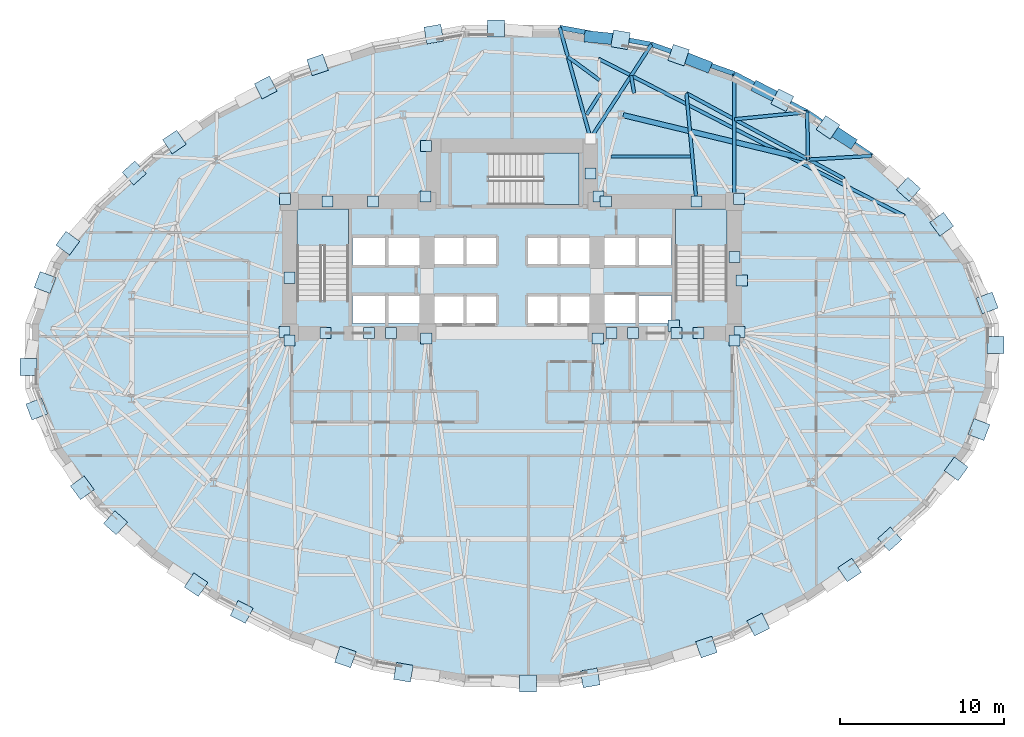
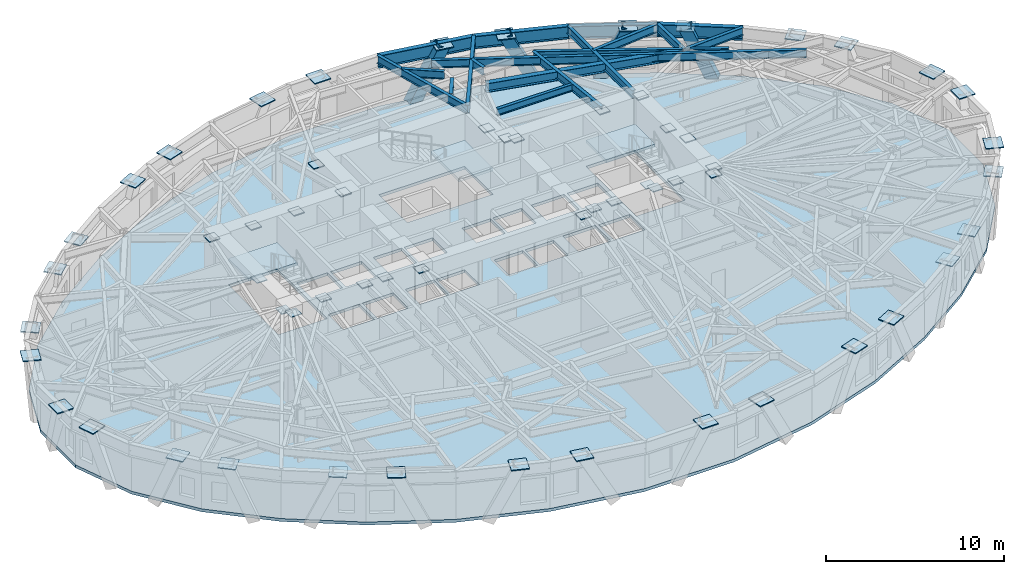
# One storey, part 5 of 14: 59 plates, 18 beams, 4 members, 4 slabs, 3 elements without a shape of their own.
"""IFC4 building model written with IfcOpenShell, lengths in metres."""

from ifc_helpers import new_model, si_unit, direction, frame, origin, origin_2d, place, context, subcontext, project, spatial, polyline, rectangle, hollow_rectangle, i_section, outline, extrude, material, layer, layer_set, material_profile, profile_set, type_object, element, aggregate, save


model = new_model("IFC4")

# Units and contexts
model_context = context("Model", 3, precision=1e-05, world=origin(), true_north=direction((0.0, 1.0)))
body_context = subcontext(model_context, "Body", "Model", "MODEL_VIEW")
ifc_project = project(units=[si_unit("LENGTHUNIT", "METRE"), si_unit("AREAUNIT", "SQUARE_METRE"), si_unit("VOLUMEUNIT", "CUBIC_METRE"), si_unit("PLANEANGLEUNIT", "RADIAN"), si_unit("MASSUNIT", "GRAM", prefix="KILO")], contexts=[model_context])

# Site, building, storey
site_placement = place(None, origin())
site = spatial("IfcSite", under=ifc_project, at=site_placement, CompositionType="ELEMENT")
building_placement = place(site_placement, origin())
building = spatial("IfcBuilding", under=site, at=building_placement, Name="Keldmark Tower", CompositionType="ELEMENT")
storey_placement = place(building_placement, frame((0.0, 0.0, 63.0)))
storey = spatial("IfcBuildingStorey", under=building, at=storey_placement, Name="L16", CompositionType="ELEMENT", Elevation=63.0)

# Beam
ifc_material_1 = material(Name="Steel ASTM A992 Grade 50", Category="steel")
ifc_material_profile_1 = material_profile(ifc_material_1, i_section(OverallWidth=0.19091796875, OverallDepth=0.45703125, WebThickness=0.009033203125, FlangeThickness=0.014404296875, at=origin_2d()), Name="W18X50")
ifc_profile_set_1 = profile_set([ifc_material_profile_1], Name="Steel ASTM A992 Grade 50")
beam_type_1 = type_object("IfcBeamType", Name="Composite Floor Joist W18X50", PredefinedType="JOIST", material=ifc_profile_set_1)
beam_1_placement = place(storey_placement, frame((6.060546875, 12.199951171875, 3.17138671875), z_axis=(1.0, 0.0, 0.0), x_axis=(0.0, 1.0, 0.0)))
element("IfcBeam", 1, at=beam_1_placement, inside=storey, type_object=beam_type_1, Name="L16 Composite Floor Joist J15", PredefinedType="JOIST", context=body_context, shape_type="SweptSolid", body=[
    extrude(i_section(OverallWidth=0.19091796875, OverallDepth=0.45703125, WebThickness=0.009033203125, FlangeThickness=0.014404296875, at=origin_2d()), origin(), (0.0, 0.0, 1.0), 4.866455078125),
])

# Members
ifc_material_2 = material(Name="Steel ASTM A572 Grade 50", Category="steel")
ifc_material_profile_2 = material_profile(ifc_material_2, hollow_rectangle(XDim=0.699951171875, YDim=0.699951171875, WallThickness=0.054931640625, at=origin_2d()), Name="BOX700X700X55")
ifc_profile_set_2 = profile_set([ifc_material_profile_2], Name="Steel ASTM A572 Grade 50")
member_type = type_object("IfcMemberType", Name="Diagrid Zone 1 Brace BOX700X700X55", PredefinedType="BRACE", material=ifc_profile_set_2)
member_1_placement = place(storey_placement, frame((20.65380859375, 13.1044921875, -0.280029296875), z_axis=(-0.342659938482, 0.224937046145, 0.91213348356), x_axis=(-0.54876977085, -0.835973527452, 0.0)))
element("IfcMember", 2, at=member_1_placement, inside=storey, type_object=member_type, Name="L16 Perimeter Diagrid Brace 02B", PredefinedType="BRACE", context=body_context, shape_type="SweptSolid", body=[
    extrude(hollow_rectangle(XDim=0.699951171875, YDim=0.699951171875, WallThickness=0.054931640625, at=origin_2d()), origin(), (0.0, 0.0, 1.0), 3.903076171875),
])
member_2_placement = place(storey_placement, frame((15.033203125, 16.4072265625, -0.280029296875), z_axis=(0.379728256214, -0.193555327461, 0.904623008023), x_axis=(0.454128549703, 0.890936170747, 0.0)))
element("IfcMember", 3, at=member_2_placement, inside=storey, type_object=member_type, Name="L16 Perimeter Diagrid Brace 03A", PredefinedType="BRACE", context=body_context, shape_type="SweptSolid", body=[
    extrude(hollow_rectangle(XDim=0.699951171875, YDim=0.699951171875, WallThickness=0.054931640625, at=origin_2d()), origin(), (0.0, 0.0, 1.0), 3.935302734375),
])
member_3_placement = place(storey_placement, frame((11.844970703125, 17.73828125, -0.280029296875), z_axis=(-0.416210288064, 0.166079491879, 0.893972370091), x_axis=(-0.370612156998, -0.928787720141, 0.0)))
element("IfcMember", 4, at=member_3_placement, inside=storey, type_object=member_type, Name="L16 Perimeter Diagrid Brace 03B", PredefinedType="BRACE", context=body_context, shape_type="SweptSolid", body=[
    extrude(hollow_rectangle(XDim=0.699951171875, YDim=0.699951171875, WallThickness=0.054931640625, at=origin_2d()), origin(), (0.0, 0.0, 1.0), 3.982177734375),
])
member_4_placement = place(storey_placement, frame((4.735107421875, 19.52734375, -0.280029296875), z_axis=(0.470779677868, -0.046582537428, 0.88102018258), x_axis=(0.098466786507, 0.995140337819, 0.0)))
element("IfcMember", 5, at=member_4_placement, inside=storey, type_object=member_type, Name="L16 Perimeter Diagrid Brace 04A", PredefinedType="BRACE", context=body_context, shape_type="SweptSolid", body=[
    extrude(hollow_rectangle(XDim=0.699951171875, YDim=0.699951171875, WallThickness=0.054931640625, at=origin_2d()), origin(), (0.0, 0.0, 1.0), 4.040771484375),
])

# Beams
ifc_material_3 = material(Name="Steel ASTM A992 Grade 50", Category="steel")
ifc_material_profile_3 = material_profile(ifc_material_3, i_section(OverallWidth=0.323974609375, OverallDepth=0.611083984375, WebThickness=0.0126953125, FlangeThickness=0.01904296875, at=origin_2d()), Name="W24X104")
ifc_profile_set_3 = profile_set([ifc_material_profile_3], Name="Steel ASTM A992 Grade 50")
beam_type_2 = type_object("IfcBeamType", Name="Primary Floor Girder W24X104", PredefinedType="BEAM", material=ifc_profile_set_3)
beam_2_placement = place(storey_placement, frame((17.961669921875, 12.040283203125, 3.094482421875), z_axis=(-0.972218707757, 0.2340743136, 0.0), x_axis=(-0.2340743136, -0.972218707757, 0.0)))
element("IfcBeam", 6, at=beam_2_placement, inside=storey, type_object=beam_type_2, Name="L16 Floor Ring Girder FG-R02", PredefinedType="BEAM", context=body_context, shape_type="SweptSolid", body=[
    extrude(i_section(OverallWidth=0.323974609375, OverallDepth=0.611083984375, WebThickness=0.0126953125, FlangeThickness=0.01904296875, at=origin_2d()), origin(), (0.0, 0.0, 1.0), 11.479248046875),
])
ifc_material_4 = material(Name="Steel ASTM A992 Grade 50", Category="steel")
ifc_material_profile_4 = material_profile(ifc_material_4, i_section(OverallWidth=0.2099609375, OverallDepth=0.537109375, WebThickness=0.010986328125, FlangeThickness=0.017333984375, at=origin_2d()), Name="W21X68")
ifc_profile_set_4 = profile_set([ifc_material_profile_4], Name="Steel ASTM A992 Grade 50")
beam_type_3 = type_object("IfcBeamType", Name="Radial Tie Girder W21X68", PredefinedType="BEAM", material=ifc_profile_set_4)
beam_3_placement = place(storey_placement, frame((11.278564453125, 9.449951171875, 3.131591796875), z_axis=(-0.092348000862, 0.99572679322, 0.0), x_axis=(-0.99572679322, -0.092348000862, 0.0)))
element("IfcBeam", 7, at=beam_3_placement, inside=storey, type_object=beam_type_3, Name="L16 Sub-Ring Step Girder STP1-M02", PredefinedType="BEAM", context=body_context, shape_type="SweptSolid", body=[
    extrude(i_section(OverallWidth=0.2099609375, OverallDepth=0.537109375, WebThickness=0.010986328125, FlangeThickness=0.017333984375, at=origin_2d()), origin(), (0.0, 0.0, 1.0), 6.6435546875),
])
beam_4_placement = place(storey_placement, frame((20.308837890625, 10.841796875, 3.131591796875), z_axis=(-0.879304784575, 0.476259483709, 0.0), x_axis=(-0.476259483709, -0.879304784575, 0.0)))
element("IfcBeam", 8, at=beam_4_placement, inside=storey, type_object=beam_type_3, Name="L16 Perimeter Collector Ring Beam CRG1-M01", PredefinedType="BEAM", context=body_context, shape_type="SweptSolid", body=[
    extrude(i_section(OverallWidth=0.2099609375, OverallDepth=0.537109375, WebThickness=0.010986328125, FlangeThickness=0.017333984375, at=origin_2d()), origin(), (0.0, 0.0, 1.0), 10.967529296875),
])
beam_5_placement = place(storey_placement, frame((4.567626953125, 14.760009765625, 3.131591796875), z_axis=(0.536875492193, 0.843661487732, 0.0), x_axis=(-0.843661487732, 0.536875492193, 0.0)))
element("IfcBeam", 9, at=beam_5_placement, inside=storey, type_object=beam_type_3, Name="L16 Framing Pin Header PH-008", PredefinedType="BEAM", context=body_context, shape_type="SweptSolid", body=[
    extrude(i_section(OverallWidth=0.2099609375, OverallDepth=0.537109375, WebThickness=0.010986328125, FlangeThickness=0.017333984375, at=origin_2d()), origin(), (0.0, 0.0, 1.0), 1.547119140625),
])
beam_6_placement = place(storey_placement, frame((23.998291015625, 8.5595703125, 3.131591796875), z_axis=(-0.889432487484, 0.457066570872, 0.0), x_axis=(-0.457066570872, -0.889432487484, 0.0)))
element("IfcBeam", 10, at=beam_6_placement, inside=storey, type_object=beam_type_3, Name="L16 Perimeter Collector Ring Beam CRG2-M01", PredefinedType="BEAM", context=body_context, shape_type="SweptSolid", body=[
    extrude(i_section(OverallWidth=0.2099609375, OverallDepth=0.537109375, WebThickness=0.010986328125, FlangeThickness=0.017333984375, at=origin_2d()), origin(), (0.0, 0.0, 1.0), 21.033203125),
])
beam_7_placement = place(storey_placement, frame((18.09765625, 12.00732421875, 3.131591796875), z_axis=(0.998253376983, 0.059077875235, 0.0), x_axis=(-0.059077875235, 0.998253376983, 0.0)))
element("IfcBeam", 11, at=beam_7_placement, inside=storey, type_object=beam_type_3, Name="L16 Perimeter Column Bracket RT-04", PredefinedType="BEAM", context=body_context, shape_type="SweptSolid", body=[
    extrude(i_section(OverallWidth=0.2099609375, OverallDepth=0.537109375, WebThickness=0.010986328125, FlangeThickness=0.017333984375, at=origin_2d()), origin(), (0.0, 0.0, 1.0), 3.901123046875),
])
beam_8_placement = place(storey_placement, frame((18.09765625, 12.00732421875, 3.131591796875), z_axis=(-0.01697805012, 0.999855862519, 0.0), x_axis=(-0.999855862519, -0.01697805012, 0.0)))
element("IfcBeam", 12, at=beam_8_placement, inside=storey, type_object=beam_type_3, Name="L16 Perimeter Column Bracket RT-05", PredefinedType="BEAM", context=body_context, shape_type="SweptSolid", body=[
    extrude(i_section(OverallWidth=0.2099609375, OverallDepth=0.537109375, WebThickness=0.010986328125, FlangeThickness=0.017333984375, at=origin_2d()), origin(), (0.0, 0.0, 1.0), 2.90478515625),
])
beam_9_placement = place(storey_placement, frame((18.04833984375, 14.91162109375, 3.131591796875), z_axis=(-0.995224676216, -0.097610674885, 0.0), x_axis=(0.097610674885, -0.995224676216, 0.0)))
element("IfcBeam", 13, at=beam_9_placement, inside=storey, type_object=beam_type_3, Name="L16 Framing Pin Header PH-018", PredefinedType="BEAM", context=body_context, shape_type="SweptSolid", body=[
    extrude(i_section(OverallWidth=0.2099609375, OverallDepth=0.537109375, WebThickness=0.010986328125, FlangeThickness=0.017333984375, at=origin_2d()), origin(), (0.0, 0.0, 1.0), 4.469482421875),
])
beam_10_placement = place(storey_placement, frame((13.60009765625, 9.89990234375, 3.131591796875), z_axis=(0.0, 1.0, 0.0), x_axis=(-1.0, 0.0, 0.0)))
element("IfcBeam", 14, at=beam_10_placement, inside=storey, type_object=beam_type_3, Name="L16 Perimeter Radial Tie Girder RT-06", PredefinedType="BEAM", context=body_context, shape_type="SweptSolid", body=[
    extrude(i_section(OverallWidth=0.2099609375, OverallDepth=0.537109375, WebThickness=0.010986328125, FlangeThickness=0.017333984375, at=origin_2d()), origin(), (0.0, 0.0, 1.0), 7.352783203125),
])
beam_11_placement = place(storey_placement, frame((7.465576171875, 16.065185546875, 3.131591796875), z_axis=(-0.160746315774, 0.986995755799, 0.0), x_axis=(-0.986995755799, -0.160746315774, 0.0)))
element("IfcBeam", 15, at=beam_11_placement, inside=storey, type_object=beam_type_3, Name="L16 Framing Pin Header PH-019", PredefinedType="BEAM", context=body_context, shape_type="SweptSolid", body=[
    extrude(i_section(OverallWidth=0.2099609375, OverallDepth=0.537109375, WebThickness=0.010986328125, FlangeThickness=0.017333984375, at=origin_2d()), origin(), (0.0, 0.0, 1.0), 1.094970703125),
])
beam_12_placement = place(storey_placement, frame((4.800048828125, 13.300048828125, 3.131591796875), z_axis=(0.543401950803, 0.839472643904, 0.0), x_axis=(-0.839472643904, 0.543401950803, 0.0)))
element("IfcBeam", 16, at=beam_12_placement, inside=storey, type_object=beam_type_3, Name="L16 Perimeter Radial Tie Girder RT-07", PredefinedType="BEAM", context=body_context, shape_type="SweptSolid", body=[
    extrude(i_section(OverallWidth=0.2099609375, OverallDepth=0.537109375, WebThickness=0.010986328125, FlangeThickness=0.017333984375, at=origin_2d()), origin(), (0.0, 0.0, 1.0), 6.8525390625),
])
beam_13_placement = place(storey_placement, frame((5.357421875, 16.86474609375, 3.131591796875), z_axis=(-0.805187992972, 0.593019642149, 0.0), x_axis=(-0.593019642149, -0.805187992972, 0.0)))
element("IfcBeam", 17, at=beam_13_placement, inside=storey, type_object=beam_type_3, Name="L16 Framing Pin Header PH-020", PredefinedType="BEAM", context=body_context, shape_type="SweptSolid", body=[
    extrude(i_section(OverallWidth=0.2099609375, OverallDepth=0.537109375, WebThickness=0.010986328125, FlangeThickness=0.017333984375, at=origin_2d()), origin(), (0.0, 0.0, 1.0), 2.4140625),
])
beam_14_placement = place(storey_placement, frame((4.800048828125, 13.300048828125, 3.131591796875), z_axis=(-0.267380957699, 0.963590900466, 0.0), x_axis=(-0.963590900466, -0.267380957699, 0.0)))
element("IfcBeam", 18, at=beam_14_placement, inside=storey, type_object=beam_type_3, Name="L16 Perimeter Radial Tie Girder RT-08", PredefinedType="BEAM", context=body_context, shape_type="SweptSolid", body=[
    extrude(i_section(OverallWidth=0.2099609375, OverallDepth=0.537109375, WebThickness=0.010986328125, FlangeThickness=0.017333984375, at=origin_2d()), origin(), (0.0, 0.0, 1.0), 7.040771484375),
])
ifc_material_5 = material(Name="Steel ASTM A992 Grade 50", Category="steel")
ifc_material_profile_5 = material_profile(ifc_material_5, i_section(OverallWidth=0.2919921875, OverallDepth=0.85888671875, WebThickness=0.01708984375, FlangeThickness=0.031005859375, at=origin_2d()), Name="W33X169")
ifc_profile_set_5 = profile_set([ifc_material_profile_5], Name="Steel ASTM A992 Grade 50")
beam_type_4 = type_object("IfcBeamType", Name="Spandrel Ring Beam W33X169", PredefinedType="SPANDREL", material=ifc_profile_set_5)
beam_15_placement = place(storey_placement, frame((21.991943359375, 12.23779296875, 2.970458984375), z_axis=(-0.827689135004, 0.561186863528, 0.0), x_axis=(-0.561186863528, -0.827689135004, 0.0)))
element("IfcBeam", 19, at=beam_15_placement, inside=storey, type_object=beam_type_4, Name="L16 Perimeter Spandrel Ring Beam SRB-04", PredefinedType="SPANDREL", context=body_context, shape_type="SweptSolid", body=[
    extrude(i_section(OverallWidth=0.2919921875, OverallDepth=0.85888671875, WebThickness=0.01708984375, FlangeThickness=0.031005859375, at=origin_2d()), origin(), (0.0, 0.0, 1.0), 4.7646484375),
])
beam_16_placement = place(storey_placement, frame((18.04833984375, 14.91162109375, 2.970458984375), z_axis=(-0.884927704222, 0.465728416892, 0.0), x_axis=(-0.465728416892, -0.884927704222, 0.0)))
element("IfcBeam", 20, at=beam_16_placement, inside=storey, type_object=beam_type_4, Name="L16 Perimeter Spandrel Ring Beam SRB-05", PredefinedType="SPANDREL", context=body_context, shape_type="SweptSolid", body=[
    extrude(i_section(OverallWidth=0.2919921875, OverallDepth=0.85888671875, WebThickness=0.01708984375, FlangeThickness=0.031005859375, at=origin_2d()), origin(), (0.0, 0.0, 1.0), 5.026611328125),
])
beam_17_placement = place(storey_placement, frame((13.60009765625, 17.252685546875, 2.970458984375), z_axis=(-0.942515730584, 0.334161783575, 0.0), x_axis=(-0.334161783575, -0.942515730584, 0.0)))
element("IfcBeam", 21, at=beam_17_placement, inside=storey, type_object=beam_type_4, Name="L16 Perimeter Spandrel Ring Beam SRB-06", PredefinedType="SPANDREL", context=body_context, shape_type="SweptSolid", body=[
    extrude(i_section(OverallWidth=0.2919921875, OverallDepth=0.85888671875, WebThickness=0.01708984375, FlangeThickness=0.031005859375, at=origin_2d()), origin(), (0.0, 0.0, 1.0), 5.385986328125),
])
beam_18_placement = place(storey_placement, frame((8.523681640625, 19.052490234375, 2.970458984375), z_axis=(-0.98347627312, 0.181037068609, 0.0), x_axis=(-0.181037068609, -0.98347627312, 0.0)))
element("IfcBeam", 22, at=beam_18_placement, inside=storey, type_object=beam_type_4, Name="L16 Perimeter Spandrel Ring Beam SRB-07", PredefinedType="SPANDREL", context=body_context, shape_type="SweptSolid", body=[
    extrude(i_section(OverallWidth=0.2919921875, OverallDepth=0.85888671875, WebThickness=0.01708984375, FlangeThickness=0.031005859375, at=origin_2d()), origin(), (0.0, 0.0, 1.0), 5.700439453125),
])

# Plates
ifc_material_6 = material(Name="Steel ASTM A572 Grade 50", Category="steel")
ifc_layer_1 = layer(ifc_material_6, 0.06005859375)
ifc_layer_set_1 = layer_set([ifc_layer_1], Name="Steel ASTM A572 Grade 50")
plate_type_1 = type_object("IfcPlateType", Name="Belt Truss Kink Node Assembly KN01 60 mm", PredefinedType="USERDEFINED", material=ifc_layer_set_1)
for number, where, z_axis, x_axis, name in (
    (23, (13.91162109375, 1.473388671875, 3.09814453125), (0.0, 0.0, 1.0), (1.0, 0.0, 0.0), "L16 Core Wall Cast-In Embed Plate 406"),
    (24, (13.878173828125, 9.608154296875, 3.09814453125), (0.0, 0.0, 1.0), (1.0, 0.0, 0.0), "L16 Core Wall Cast-In Embed Plate 407"),
    (25, (5.28515625, 9.758544921875, 3.09814453125), (0.0, 0.0, 1.0), (1.0, 0.0, 0.0), "L16 Core Wall Cast-In Embed Plate 408"),
    (26, (-5.28515625, 9.758544921875, 3.09814453125), (0.0, 0.0, 1.0), (1.0, 0.0, 0.0), "L16 Core Wall Cast-In Embed Plate 409"),
    (27, (-13.878173828125, 9.608154296875, 3.09814453125), (0.0, 0.0, 1.0), (1.0, 0.0, 0.0), "L16 Core Wall Cast-In Embed Plate 410"),
    (28, (-13.91162109375, 1.473388671875, 3.09814453125), (0.0, 0.0, 1.0), (1.0, 0.0, 0.0), "L16 Core Wall Cast-In Embed Plate 411"),
    (29, (-5.24072265625, 1.08251953125, 3.09814453125), (0.0, 0.0, 1.0), (1.0, 0.0, 0.0), "L16 Core Wall Cast-In Embed Plate 412"),
    (30, (5.24072265625, 1.08251953125, 3.09814453125), (0.0, 0.0, 1.0), (1.0, 0.0, 0.0), "L16 Core Wall Cast-In Embed Plate 413"),
    (31, (11.278564453125, 9.449951171875, 3.10400390625), (0.0, 0.0, 1.0), (1.0, 0.0, 0.0), "L16 Core Wall Cast-In Embed Plate 414"),
    (32, (-11.278564453125, 9.449951171875, 3.10400390625), (0.0, 0.0, 1.0), (1.0, 0.0, 0.0), "L16 Core Wall Cast-In Embed Plate 415"),
    (33, (5.735595703125, 9.449951171875, 3.10400390625), (0.0, 0.0, 1.0), (1.0, 0.0, 0.0), "L16 Core Wall Cast-In Embed Plate 416"),
    (34, (-8.507080078125, 9.449951171875, 3.10400390625), (0.0, 0.0, 1.0), (1.0, 0.0, 0.0), "L16 Core Wall Cast-In Embed Plate 417"),
    (35, (-11.392822265625, 1.39990234375, 3.10400390625), (0.0, 0.0, 1.0), (1.0, 0.0, 0.0), "L16 Core Wall Cast-In Embed Plate 418"),
    (36, (13.60009765625, 0.949951171875, 3.10400390625), (0.0, 0.0, 1.0), (1.0, 0.0, 0.0), "L16 Core Wall Cast-In Embed Plate 419"),
    (37, (4.800048828125, 11.14990234375, 3.10400390625), (0.0, 0.0, 1.0), (1.0, 0.0, 0.0), "L16 Core Wall Cast-In Embed Plate 420"),
    (38, (-5.25, 12.85009765625, 3.10400390625), (0.0, 0.0, 1.0), (1.0, 0.0, 0.0), "L16 Core Wall Cast-In Embed Plate 422"),
    (39, (-13.60009765625, 4.78564453125, 3.10400390625), (0.0, 0.0, 1.0), (1.0, 0.0, 0.0), "L16 Core Wall Cast-In Embed Plate 423"),
    (40, (-13.60009765625, 0.949951171875, 3.10400390625), (0.0, 0.0, 1.0), (1.0, 0.0, 0.0), "L16 Core Wall Cast-In Embed Plate 424"),
    (41, (-7.406982421875, 1.39990234375, 3.10400390625), (0.0, 0.0, 1.0), (1.0, 0.0, 0.0), "L16 Core Wall Cast-In Embed Plate 425"),
    (42, (7.406982421875, 1.39990234375, 3.10400390625), (0.0, 0.0, 1.0), (1.0, 0.0, 0.0), "L16 Core Wall Cast-In Embed Plate 426"),
    (43, (11.392822265625, 1.39990234375, 3.10400390625), (0.0, 0.0, 1.0), (1.0, 0.0, 0.0), "L16 Core Wall Cast-In Embed Plate 427"),
    (44, (10.064208984375, 1.39990234375, 3.10400390625), (0.0, 0.0, 1.0), (1.0, 0.0, 0.0), "L16 Core Wall Cast-In Embed Plate 428"),
    (45, (13.60009765625, 6.064208984375, 3.10400390625), (0.0, 0.0, 1.0), (1.0, 0.0, 0.0), "L16 Core Wall Cast-In Embed Plate 429"),
    (46, (-8.735595703125, 1.39990234375, 3.10400390625), (0.0, 0.0, 1.0), (1.0, 0.0, 0.0), "L16 Core Wall Cast-In Embed Plate 430"),
    (47, (9.889892578125, 1.85009765625, 3.10400390625), (0.0, 0.0, 1.0), (1.0, 0.0, 0.0), "L16 Core Wall Cast-In Embed Plate 431"),
    (48, (6.07861328125, 1.39990234375, 3.10400390625), (0.0, 0.0, 1.0), (1.0, 0.0, 0.0), "L16 Core Wall Cast-In Embed Plate 432"),
    (49, (14.044921875, 4.6201171875, 3.14404296875), (0.0, 0.0, 1.0), (1.0, 0.0, 0.0), "L16 Core Wall Cast-In Embed Plate 433"),
):
    element("IfcPlate", number, at=place(storey_placement, frame(where, z_axis=z_axis, x_axis=x_axis)), inside=storey, type_object=plate_type_1, Name=name, ObjectType="CAP PLATE", PredefinedType="USERDEFINED", context=body_context, shape_type="SweptSolid", body=[
        extrude(rectangle(XDim=0.679931640625, YDim=0.679931640625, at=origin_2d()), origin(), (0.0, 0.0, 1.0), 0.054931640625),
    ])
ifc_material_7 = material(Name="Steel ASTM A572 Grade 50", Category="steel")
ifc_layer_2 = layer(ifc_material_7, 0.06494140625)
ifc_layer_set_2 = layer_set([ifc_layer_2], Name="Steel ASTM A572 Grade 50")
plate_type_2 = type_object("IfcPlateType", Name="Diagrid Node Assembly DN02 65 mm", PredefinedType="USERDEFINED", material=ifc_layer_set_2)
for number, where, z_axis, x_axis, name in (
    (50, (29.0537109375, 3.239501953125, 3.24755859375), (0.0, 0.0, 1.0), (-0.35282169456, 0.935690574842, 0.0), "L16 Diagrid Node Assembly 01"),
    (51, (26.271728515625, 8.056884765625, 3.24755859375), (0.0, 0.0, 1.0), (-0.592294464767, 0.805721581569, 0.0), "L16 Diagrid Node Assembly 02"),
    (52, (24.240478515625, 10.19873046875, 3.24755859375), (0.0, 0.0, 1.0), (-0.742326773808, 0.670038029434, 0.0), "L16 Diagrid Node Assembly 03"),
    (53, (19.31640625, 13.982421875, 3.24755859375), (0.0, 0.0, 1.0), (-0.827668733006, 0.561216953062, 0.0), "L16 Diagrid Node Assembly 04"),
    (54, (16.527587890625, 15.6455078125, 3.24755859375), (0.0, 0.0, 1.0), (-0.891085746907, 0.453834982851, 0.0), "L16 Diagrid Node Assembly 05"),
    (55, (10.1875, 18.399658203125, 3.24755859375), (0.0, 0.0, 1.0), (-0.947378020466, 0.320116988518, 0.0), "L16 Diagrid Node Assembly 06"),
    (56, (6.637451171875, 19.339111328125, 3.24755859375), (0.0, 0.0, 1.0), (-0.985318641925, 0.17072543418, 0.0), "L16 Diagrid Node Assembly 07"),
    (57, (-0.978515625, 20.02490234375, 3.24755859375), (0.0, 0.0, 1.0), (-1.0, 0.0, 0.0), "L16 Diagrid Node Assembly 08"),
    (58, (-4.7802734375, 19.680908203125, 3.24755859375), (0.0, 0.0, 1.0), (-0.985318641925, -0.17072543418, 0.0), "L16 Diagrid Node Assembly 09"),
    (59, (-11.890625, 17.795166015625, 3.24755859375), (0.0, 0.0, 1.0), (-0.947378020466, -0.320116988518, 0.0), "L16 Diagrid Node Assembly 10"),
    (60, (-15.0546875, 16.41943359375, 3.24755859375), (0.0, 0.0, 1.0), (-0.891085746907, -0.453834982851, 0.0), "L16 Diagrid Node Assembly 11"),
    (61, (-20.639404296875, 13.082763671875, 3.24755859375), (0.0, 0.0, 1.0), (-0.827668733006, -0.561216953062, 0.0), "L16 Diagrid Node Assembly 12"),
    (62, (-23.096435546875, 11.1943359375, 3.24755859375), (0.0, 0.0, 1.0), (-0.742326773808, -0.670038029434, 0.0), "L16 Diagrid Node Assembly 13"),
    (63, (-27.160888671875, 6.898681640625, 3.24755859375), (0.0, 0.0, 1.0), (-0.592294464767, -0.805721581569, 0.0), "L16 Diagrid Node Assembly 14"),
    (64, (-28.548583984375, 4.4951171875, 3.24755859375), (0.0, 0.0, 1.0), (-0.35282169456, -0.935690574842, 0.0), "L16 Diagrid Node Assembly 15"),
    (65, (-29.561279296875, -0.665283203125, 3.24755859375), (0.0, 0.0, 1.0), (0.0, -1.0, 0.0), "L16 Diagrid Node Assembly 16"),
    (66, (-29.0537109375, -3.239501953125, 3.24755859375), (0.0, 0.0, 1.0), (0.35282169456, -0.935690574842, 0.0), "L16 Diagrid Node Assembly 17"),
    (67, (-26.271728515625, -8.056884765625, 3.24755859375), (0.0, 0.0, 1.0), (0.592294464767, -0.805721581569, 0.0), "L16 Diagrid Node Assembly 18"),
    (68, (-24.240478515625, -10.19873046875, 3.24755859375), (0.0, 0.0, 1.0), (0.742326773808, -0.670038029434, 0.0), "L16 Diagrid Node Assembly 19"),
    (69, (-19.31640625, -13.982421875, 3.24755859375), (0.0, 0.0, 1.0), (0.827668733006, -0.561216953062, 0.0), "L16 Diagrid Node Assembly 20"),
    (70, (-16.527587890625, -15.6455078125, 3.24755859375), (0.0, 0.0, 1.0), (0.891085746907, -0.453834982851, 0.0), "L16 Diagrid Node Assembly 21"),
    (71, (-10.1875, -18.399658203125, 3.24755859375), (0.0, 0.0, 1.0), (0.947378020466, -0.320116988518, 0.0), "L16 Diagrid Node Assembly 22"),
    (72, (-6.637451171875, -19.339111328125, 3.24755859375), (0.0, 0.0, 1.0), (0.985318641925, -0.17072543418, 0.0), "L16 Diagrid Node Assembly 23"),
    (73, (0.978515625, -20.02490234375, 3.24755859375), (0.0, 0.0, 1.0), (1.0, 0.0, 0.0), "L16 Diagrid Node Assembly 24"),
    (74, (4.7802734375, -19.680908203125, 3.24755859375), (0.0, 0.0, 1.0), (0.985318641925, 0.17072543418, 0.0), "L16 Diagrid Node Assembly 25"),
    (75, (11.890625, -17.795166015625, 3.24755859375), (0.0, 0.0, 1.0), (0.947378020466, 0.320116988518, 0.0), "L16 Diagrid Node Assembly 26"),
    (76, (15.0546875, -16.41943359375, 3.24755859375), (0.0, 0.0, 1.0), (0.891085746907, 0.453834982851, 0.0), "L16 Diagrid Node Assembly 27"),
    (77, (20.639404296875, -13.082763671875, 3.24755859375), (0.0, 0.0, 1.0), (0.827668733006, 0.561216953062, 0.0), "L16 Diagrid Node Assembly 28"),
    (78, (23.096435546875, -11.1943359375, 3.24755859375), (0.0, 0.0, 1.0), (0.742326773808, 0.670038029434, 0.0), "L16 Diagrid Node Assembly 29"),
    (79, (27.160888671875, -6.898681640625, 3.24755859375), (0.0, 0.0, 1.0), (0.592294464767, 0.805721581569, 0.0), "L16 Diagrid Node Assembly 30"),
    (80, (28.548583984375, -4.4951171875, 3.24755859375), (0.0, 0.0, 1.0), (0.35282169456, 0.935690574842, 0.0), "L16 Diagrid Node Assembly 31"),
    (81, (29.561279296875, 0.665283203125, 3.24755859375), (0.0, 0.0, 1.0), (0.0, 1.0, 0.0), "L16 Diagrid Node Assembly 32"),
):
    element("IfcPlate", number, at=place(storey_placement, frame(where, z_axis=z_axis, x_axis=x_axis)), inside=storey, type_object=plate_type_2, Name=name, ObjectType="GUSSET", PredefinedType="USERDEFINED", context=body_context, shape_type="SweptSolid", body=[
        extrude(rectangle(XDim=1.0400390625, YDim=1.0400390625, at=origin_2d()), origin(), (0.0, 0.0, 1.0), 0.06494140625),
    ])

# Slab
ifc_material_8 = material(Name="Concrete C35/45", Category="concrete")
ifc_layer_3 = layer(ifc_material_8, 0.199951171875)
ifc_layer_set_3 = layer_set([ifc_layer_3], Name="Concrete C35/45")
slab_type_1 = type_object("IfcSlabType", Name="Low-Rise Office Composite Slab 200 mm", PredefinedType="FLOOR", material=ifc_layer_set_3)
slab_1_placement = place(storey_placement, frame((0.0, 0.0, -0.199951171875)))
element("IfcSlab", 82, at=slab_1_placement, inside=storey, type_object=slab_type_1, Name="L16 Composite Structural Floor Slab", PredefinedType="FLOOR", context=body_context, shape_type="SweptSolid", body=[
    extrude(outline(polyline([(29.361083984375, 1.960693359375), (27.934326171875, 5.745361328125), (25.39306640625, 9.20263671875), (22.01611328125, 12.25048828125), (18.068115234375, 14.92724609375), (13.572998046875, 17.216796875), (8.473876953125, 18.939697265625), (2.891845703125, 19.9072265625), (-2.891845703125, 19.9072265625), (-8.473876953125, 18.939697265625), (-13.572998046875, 17.216796875), (-18.068115234375, 14.92724609375), (-22.01611328125, 12.25048828125), (-25.39306640625, 9.20263671875), (-27.934326171875, 5.745361328125), (-29.361083984375, 1.960693359375), (-29.361083984375, -1.960693359375), (-27.934326171875, -5.745361328125), (-25.39306640625, -9.20263671875), (-22.01611328125, -12.25048828125), (-18.068115234375, -14.92724609375), (-13.572998046875, -17.216796875), (-8.473876953125, -18.939697265625), (-2.891845703125, -19.9072265625), (2.891845703125, -19.9072265625), (8.473876953125, -18.939697265625), (13.572998046875, -17.216796875), (18.068115234375, -14.92724609375), (22.01611328125, -12.25048828125), (25.39306640625, -9.20263671875), (27.934326171875, -5.745361328125), (29.361083984375, -1.960693359375), (29.361083984375, 1.960693359375)]), holes=[polyline([(-10.0, 3.385009765625), (-10.0, 9.0), (-13.14990234375, 9.0), (-13.14990234375, 3.385009765625), (-10.0, 3.385009765625)]), polyline([(13.14990234375, 3.385009765625), (13.14990234375, 9.0), (10.0, 9.0), (10.0, 3.385009765625), (13.14990234375, 3.385009765625)]), polyline([(-1.43994140625, 9.25), (4.10498046875, 9.25), (4.10498046875, 12.39990234375), (-1.43994140625, 12.39990234375), (-1.43994140625, 9.25)]), polyline([(-9.75, 2.0), (-7.75, 2.0), (-7.75, 3.699951171875), (-9.75, 3.699951171875), (-9.75, 2.0)]), polyline([(7.75, 2.0), (9.75, 2.0), (9.75, 3.699951171875), (7.75, 3.699951171875), (7.75, 2.0)]), polyline([(5.449951171875, 2.0), (7.550048828125, 2.0), (7.550048828125, 3.75), (5.449951171875, 3.75), (5.449951171875, 2.0)]), polyline([(-4.800048828125, 2.0), (-2.949951171875, 2.0), (-2.949951171875, 3.64990234375), (-4.800048828125, 3.64990234375), (-4.800048828125, 2.0)]), polyline([(-2.800048828125, 2.0), (-0.949951171875, 2.0), (-0.949951171875, 3.64990234375), (-2.800048828125, 3.64990234375), (-2.800048828125, 2.0)]), polyline([(0.949951171875, 2.0), (2.800048828125, 2.0), (2.800048828125, 3.64990234375), (0.949951171875, 3.64990234375), (0.949951171875, 2.0)]), polyline([(2.949951171875, 2.0), (4.800048828125, 2.0), (4.800048828125, 3.64990234375), (2.949951171875, 3.64990234375), (2.949951171875, 2.0)]), polyline([(-4.800048828125, 5.60009765625), (-2.949951171875, 5.60009765625), (-2.949951171875, 7.25), (-4.800048828125, 7.25), (-4.800048828125, 5.60009765625)]), polyline([(-2.800048828125, 5.60009765625), (-0.949951171875, 5.60009765625), (-0.949951171875, 7.25), (-2.800048828125, 7.25), (-2.800048828125, 5.60009765625)]), polyline([(0.949951171875, 5.60009765625), (2.800048828125, 5.60009765625), (2.800048828125, 7.25), (0.949951171875, 7.25), (0.949951171875, 5.60009765625)]), polyline([(2.949951171875, 5.60009765625), (4.800048828125, 5.60009765625), (4.800048828125, 7.25), (2.949951171875, 7.25), (2.949951171875, 5.60009765625)]), polyline([(-9.75, 5.550048828125), (-7.75, 5.550048828125), (-7.75, 7.25), (-9.75, 7.25), (-9.75, 5.550048828125)]), polyline([(-7.550048828125, 5.550048828125), (-5.550048828125, 5.550048828125), (-5.550048828125, 7.25), (-7.550048828125, 7.25), (-7.550048828125, 5.550048828125)]), polyline([(-7.550048828125, 2.0), (-5.550048828125, 2.0), (-5.550048828125, 3.699951171875), (-7.550048828125, 3.699951171875), (-7.550048828125, 2.0)]), polyline([(5.449951171875, 5.550048828125), (7.550048828125, 5.550048828125), (7.550048828125, 7.25), (5.449951171875, 7.25), (5.449951171875, 5.550048828125)]), polyline([(7.75, 5.550048828125), (9.75, 5.550048828125), (9.75, 7.25), (7.75, 7.25), (7.75, 5.550048828125)])]), origin(), (0.0, 0.0, 1.0), 0.199951171875),
])

# Stair, slab
ifc_material_9 = material(Name="Concrete C40/50", Category="concrete")
stair_type = type_object("IfcStairType", Name="Precast Concrete Core Exit Stair", PredefinedType="HALF_TURN_STAIR", material=ifc_material_9)
stair_1_placement = place(storey_placement, origin())
stair_1 = element("IfcStair", 83, at=stair_1_placement, inside=storey, type_object=stair_type, Name="L16 Exit Stair ST1", PredefinedType="HALF_TURN_STAIR")
ifc_material_10 = material(Name="Concrete C40/50", Category="concrete")
ifc_layer_4 = layer(ifc_material_10, 0.199951171875)
ifc_layer_set_4 = layer_set([ifc_layer_4], Name="Concrete C40/50")
slab_type_2 = type_object("IfcSlabType", Name="Reinforced Concrete Stair Landing 200 mm", PredefinedType="LANDING", material=ifc_layer_set_4)
slab_2_placement = place(storey_placement, frame((0.0, 0.0, 1.60009765625)))
slab_2 = element("IfcSlab", 84, at=slab_2_placement, type_object=slab_type_2, Name="ST1 landing 1", PredefinedType="LANDING", context=body_context, shape_type="SweptSolid", body=[
    extrude(outline(polyline([(-10.0, 6.72998046875), (-10.0, 9.0), (-13.14990234375, 9.0), (-13.14990234375, 6.72998046875), (-10.0, 6.72998046875)])), origin(), (0.0, 0.0, 1.0), 0.199951171875),
])
aggregate(stair_1, [slab_2])

stair_2_placement = place(storey_placement, origin())
stair_2 = element("IfcStair", 85, at=stair_2_placement, inside=storey, type_object=stair_type, Name="L16 Exit Stair ST2", PredefinedType="HALF_TURN_STAIR")
slab_3_placement = place(storey_placement, frame((0.0, 0.0, 1.60009765625)))
slab_3 = element("IfcSlab", 86, at=slab_3_placement, type_object=slab_type_2, Name="ST2 landing 1", PredefinedType="LANDING", context=body_context, shape_type="SweptSolid", body=[
    extrude(outline(polyline([(13.14990234375, 6.72998046875), (13.14990234375, 9.0), (10.0, 9.0), (10.0, 6.72998046875), (13.14990234375, 6.72998046875)])), origin(), (0.0, 0.0, 1.0), 0.199951171875),
])
aggregate(stair_2, [slab_3])

stair_3_placement = place(storey_placement, origin())
stair_3 = element("IfcStair", 87, at=stair_3_placement, inside=storey, type_object=stair_type, Name="L16 Exit Stair ST3", PredefinedType="HALF_TURN_STAIR")
slab_4_placement = place(storey_placement, frame((0.0, 0.0, 1.60009765625)))
slab_4 = element("IfcSlab", 88, at=slab_4_placement, type_object=slab_type_2, Name="ST3 landing 1", PredefinedType="LANDING", context=body_context, shape_type="SweptSolid", body=[
    extrude(outline(polyline([(1.905029296875, 9.25), (4.10498046875, 9.25), (4.10498046875, 12.39990234375), (1.905029296875, 12.39990234375), (1.905029296875, 9.25)])), origin(), (0.0, 0.0, 1.0), 0.199951171875),
])
aggregate(stair_3, [slab_4])

save(model, "model.ifc")
